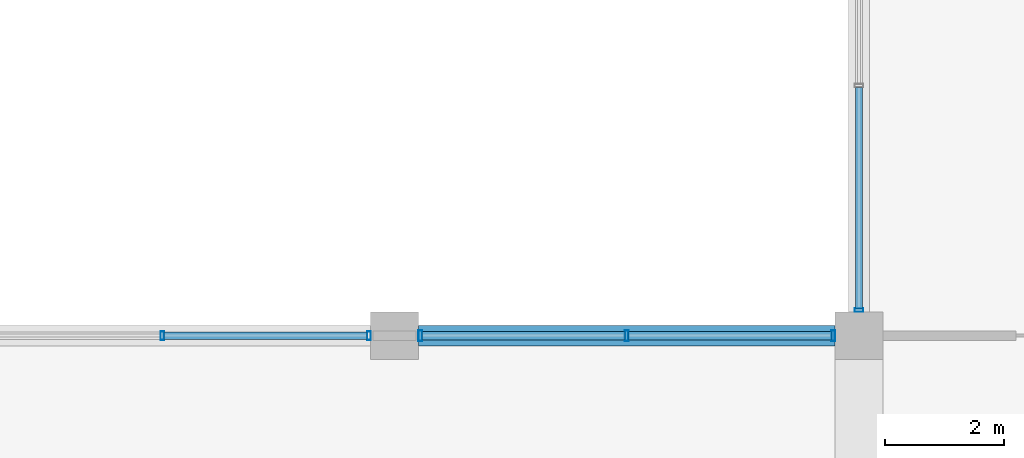
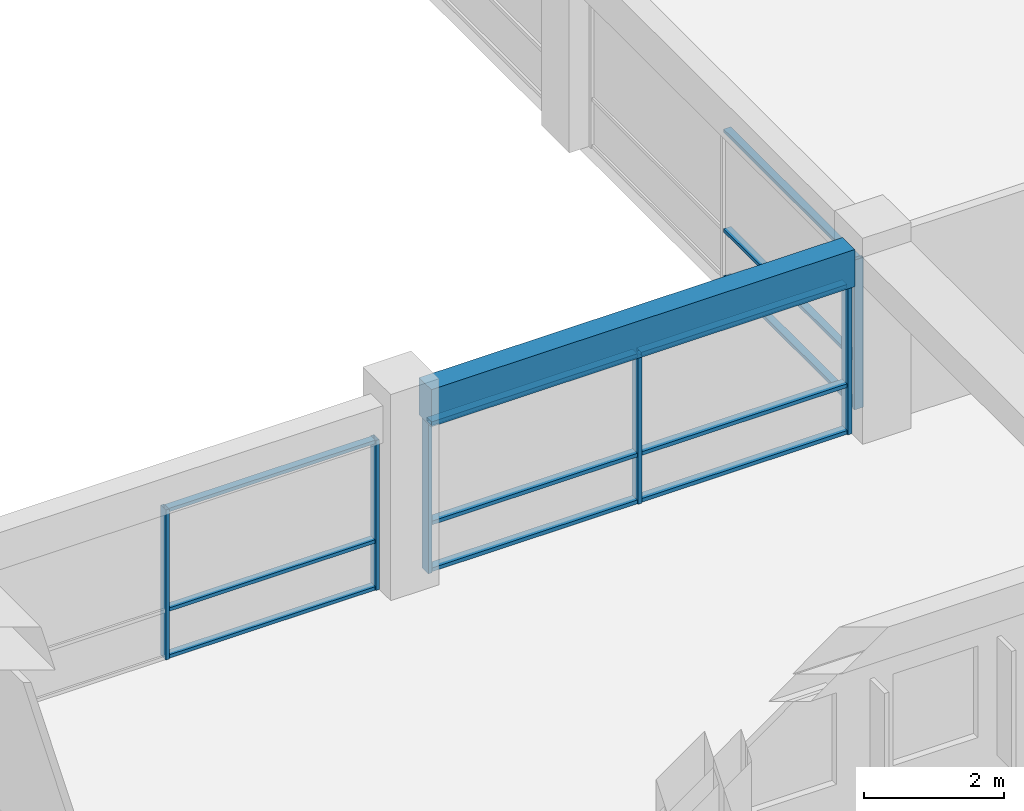
# One storey, part 13 of 50: 18 members, 1 beam, 3 elements without a shape of their own.
"""IFC4 building model written with IfcOpenShell, lengths in metres."""

from ifc_helpers import new_model, si_unit, direction, frame, origin, origin_2d, place, context, subcontext, project, spatial, rectangle, hollow_rectangle, extrude, material, material_profile, profile_set, type_object, element, aggregate, save


model = new_model("IFC4")

# Units and contexts
model_context = context("Model", 3, precision=1e-05, world=origin(), true_north=direction((0.0, 1.0)))
body_context = subcontext(model_context, "Body", "Model", "MODEL_VIEW")
ifc_project = project(units=[si_unit("LENGTHUNIT", "METRE"), si_unit("AREAUNIT", "SQUARE_METRE"), si_unit("VOLUMEUNIT", "CUBIC_METRE"), si_unit("PLANEANGLEUNIT", "RADIAN"), si_unit("MASSUNIT", "GRAM", prefix="KILO"), si_unit("THERMODYNAMICTEMPERATUREUNIT", "KELVIN"), si_unit("POWERUNIT", "WATT")], contexts=[model_context])

# Site, building, storey
site_placement = place(None, origin())
site = spatial("IfcSite", under=ifc_project, at=site_placement, CompositionType="ELEMENT")
building_placement = place(site_placement, origin())
building = spatial("IfcBuilding", under=site, at=building_placement, Name="Srebrne Nadtorze General Hospital", CompositionType="ELEMENT")
storey_placement = place(building_placement, frame((0.0, 0.0, 14.39990234375)))
storey = spatial("IfcBuildingStorey", under=building, at=storey_placement, Name="L03", CompositionType="ELEMENT", Elevation=14.39990234375)

# Curtain wall, members
ifc_material_1 = material(Name="Anodised Aluminium", Category="aluminium")
curtain_wall_type_1 = type_object("IfcCurtainWallType", Name="Unitised curtain wall 7000x2620", PredefinedType="NOTDEFINED", material=ifc_material_1)
curtain_wall_1_placement = place(storey_placement, origin())
curtain_wall_1 = element("IfcCurtainWall", 1, at=curtain_wall_1_placement, inside=storey, type_object=curtain_wall_type_1, Name="Curtain wall CW-090", PredefinedType="NOTDEFINED")
ifc_material_2 = material(Name="Anodised Aluminium", Category="aluminium")
ifc_material_profile_1 = material_profile(ifc_material_2, hollow_rectangle(XDim=0.06005859375, YDim=0.14990234375, WallThickness=0.00390625, at=origin_2d()), Name="AL-MUL-60x150")
ifc_profile_set_1 = profile_set([ifc_material_profile_1], Name="Anodised Aluminium")
member_type_1 = type_object("IfcMemberType", Name="Curtain mullion 60x150", PredefinedType="MULLION", material=ifc_profile_set_1)
member_1_placement = place(storey_placement, frame((120.89990234375, 8.39990234375, 0.0), z_axis=(0.0, 0.0, 1.0), x_axis=(1.0, 0.0, 0.0)))
member_1 = element("IfcMember", 2, at=member_1_placement, type_object=member_type_1, Name="CW-090 mullion 2", PredefinedType="MULLION", context=body_context, shape_type="SweptSolid", body=[
    extrude(hollow_rectangle(XDim=0.06005859375, YDim=0.14990234375, WallThickness=0.00390625, at=origin_2d()), origin(), (0.0, 0.0, 1.0), 2.6201171875),
])
member_2_placement = place(storey_placement, frame((124.3701171875, 8.39990234375, 0.0), z_axis=(0.0, 0.0, 1.0), x_axis=(1.0, 0.0, 0.0)))
member_2 = element("IfcMember", 3, at=member_2_placement, type_object=member_type_1, Name="CW-090 mullion 3", PredefinedType="MULLION", context=body_context, shape_type="SweptSolid", body=[
    extrude(hollow_rectangle(XDim=0.06005859375, YDim=0.14990234375, WallThickness=0.00390625, at=origin_2d()), origin(), (0.0, 0.0, 1.0), 2.6201171875),
])

# Curtain wall, member
ifc_material_3 = material(Name="Anodised Aluminium", Category="aluminium")
curtain_wall_type_2 = type_object("IfcCurtainWallType", Name="Unitised curtain wall 7600x2620", PredefinedType="NOTDEFINED", material=ifc_material_3)
curtain_wall_2_placement = place(storey_placement, origin())
curtain_wall_2 = element("IfcCurtainWall", 4, at=curtain_wall_2_placement, inside=storey, type_object=curtain_wall_type_2, Name="Curtain wall CW-100", PredefinedType="NOTDEFINED")
member_3_placement = place(storey_placement, frame((132.60009765625, 8.830078125, 0.0), z_axis=(0.0, 0.0, 1.0), x_axis=(0.0, 1.0, 0.0)))
member_3 = element("IfcMember", 5, at=member_3_placement, type_object=member_type_1, Name="CW-100 mullion 1", PredefinedType="MULLION", context=body_context, shape_type="SweptSolid", body=[
    extrude(hollow_rectangle(XDim=0.06005859375, YDim=0.14990234375, WallThickness=0.00390625, at=origin_2d()), origin(), (0.0, 0.0, 1.0), 2.6201171875),
])

# Curtain wall, members
curtain_wall_3_placement = place(storey_placement, origin())
curtain_wall_3 = element("IfcCurtainWall", 6, at=curtain_wall_3_placement, inside=storey, type_object=curtain_wall_type_1, Name="Curtain wall CW-091", PredefinedType="NOTDEFINED")
ifc_material_4 = material(Name="Anodised Aluminium", Category="aluminium")
ifc_material_profile_2 = material_profile(ifc_material_4, hollow_rectangle(XDim=0.06494140625, YDim=0.179931640625, WallThickness=0.00390625, at=origin_2d()), Name="AL-MUL-65x180")
ifc_profile_set_2 = profile_set([ifc_material_profile_2], Name="Anodised Aluminium")
member_type_2 = type_object("IfcMemberType", Name="Curtain mullion 65x180", PredefinedType="MULLION", material=ifc_profile_set_2)
member_4_placement = place(storey_placement, frame((125.232421875, 8.39990234375, 0.0), z_axis=(0.0, 0.0, 1.0), x_axis=(1.0, 0.0, 0.0)))
member_4 = element("IfcMember", 7, at=member_4_placement, type_object=member_type_2, Name="CW-091 mullion 1", PredefinedType="MULLION", context=body_context, shape_type="SweptSolid", body=[
    extrude(hollow_rectangle(XDim=0.06494140625, YDim=0.179931640625, WallThickness=0.00390625, at=origin_2d()), origin(), (0.0, 0.0, 1.0), 2.6201171875),
])
member_5_placement = place(storey_placement, frame((128.699951171875, 8.39990234375, 0.0), z_axis=(0.0, 0.0, 1.0), x_axis=(1.0, 0.0, 0.0)))
member_5 = element("IfcMember", 8, at=member_5_placement, type_object=member_type_2, Name="CW-091 mullion 2", PredefinedType="MULLION", context=body_context, shape_type="SweptSolid", body=[
    extrude(hollow_rectangle(XDim=0.06494140625, YDim=0.179931640625, WallThickness=0.00390625, at=origin_2d()), origin(), (0.0, 0.0, 1.0), 2.6201171875),
])
member_6_placement = place(storey_placement, frame((132.16748046875, 8.39990234375, 0.0), z_axis=(0.0, 0.0, 1.0), x_axis=(1.0, 0.0, 0.0)))
member_6 = element("IfcMember", 9, at=member_6_placement, type_object=member_type_2, Name="CW-091 mullion 3", PredefinedType="MULLION", context=body_context, shape_type="SweptSolid", body=[
    extrude(hollow_rectangle(XDim=0.06494140625, YDim=0.179931640625, WallThickness=0.00390625, at=origin_2d()), origin(), (0.0, 0.0, 1.0), 2.6201171875),
])

# Member
ifc_material_5 = material(Name="Anodised Aluminium", Category="aluminium")
ifc_material_profile_3 = material_profile(ifc_material_5, hollow_rectangle(XDim=0.06005859375, YDim=0.1201171875, WallThickness=0.00390625, at=origin_2d()), Name="AL-TRN-60x120")
ifc_profile_set_3 = profile_set([ifc_material_profile_3], Name="Anodised Aluminium")
member_type_3 = type_object("IfcMemberType", Name="Curtain transom 60x120", PredefinedType="USERDEFINED", material=ifc_profile_set_3)
member_7_placement = place(storey_placement, frame((120.929931640625, 8.39990234375, 0.030029296875), z_axis=(1.0, 0.0, 0.0), x_axis=(0.0, 0.0, 1.0)))
member_7 = element("IfcMember", 10, at=member_7_placement, type_object=member_type_3, Name="CW-090 transom 2.1", ObjectType="TRANSOM", PredefinedType="USERDEFINED", context=body_context, shape_type="SweptSolid", body=[
    extrude(hollow_rectangle(XDim=0.06005859375, YDim=0.1201171875, WallThickness=0.00390625, at=origin_2d()), origin(), (0.0, 0.0, 1.0), 3.41015625),
])

member_8_placement = place(storey_placement, frame((120.929931640625, 8.39990234375, 0.85009765625), z_axis=(1.0, 0.0, 0.0), x_axis=(0.0, 0.0, 1.0)))
member_8 = element("IfcMember", 11, at=member_8_placement, type_object=member_type_3, Name="CW-090 transom 2.2", ObjectType="TRANSOM", PredefinedType="USERDEFINED", context=body_context, shape_type="SweptSolid", body=[
    extrude(hollow_rectangle(XDim=0.06005859375, YDim=0.1201171875, WallThickness=0.00390625, at=origin_2d()), origin(), (0.0, 0.0, 1.0), 3.41015625),
])

member_9_placement = place(storey_placement, frame((120.929931640625, 8.39990234375, 2.590087890625), z_axis=(1.0, 0.0, 0.0), x_axis=(0.0, 0.0, 1.0)))
member_9 = element("IfcMember", 12, at=member_9_placement, type_object=member_type_3, Name="CW-090 transom 2.3", ObjectType="TRANSOM", PredefinedType="USERDEFINED", context=body_context, shape_type="SweptSolid", body=[
    extrude(hollow_rectangle(XDim=0.06005859375, YDim=0.1201171875, WallThickness=0.00390625, at=origin_2d()), origin(), (0.0, 0.0, 1.0), 3.41015625),
])

aggregate(curtain_wall_1, [member_1, member_2, member_7, member_8, member_9])

member_10_placement = place(storey_placement, frame((132.60009765625, 8.860107421875, 0.030029296875), z_axis=(0.0, 1.0, 0.0), x_axis=(0.0, 0.0, 1.0)))
member_10 = element("IfcMember", 13, at=member_10_placement, type_object=member_type_3, Name="CW-100 transom 1.1", ObjectType="TRANSOM", PredefinedType="USERDEFINED", context=body_context, shape_type="SweptSolid", body=[
    extrude(hollow_rectangle(XDim=0.06005859375, YDim=0.1201171875, WallThickness=0.00390625, at=origin_2d()), origin(), (0.0, 0.0, 1.0), 3.7099609375),
])

member_11_placement = place(storey_placement, frame((132.60009765625, 8.860107421875, 0.85009765625), z_axis=(0.0, 1.0, 0.0), x_axis=(0.0, 0.0, 1.0)))
member_11 = element("IfcMember", 14, at=member_11_placement, type_object=member_type_3, Name="CW-100 transom 1.2", ObjectType="TRANSOM", PredefinedType="USERDEFINED", context=body_context, shape_type="SweptSolid", body=[
    extrude(hollow_rectangle(XDim=0.06005859375, YDim=0.1201171875, WallThickness=0.00390625, at=origin_2d()), origin(), (0.0, 0.0, 1.0), 3.7099609375),
])

member_12_placement = place(storey_placement, frame((132.60009765625, 8.860107421875, 2.590087890625), z_axis=(0.0, 1.0, 0.0), x_axis=(0.0, 0.0, 1.0)))
member_12 = element("IfcMember", 15, at=member_12_placement, type_object=member_type_3, Name="CW-100 transom 1.3", ObjectType="TRANSOM", PredefinedType="USERDEFINED", context=body_context, shape_type="SweptSolid", body=[
    extrude(hollow_rectangle(XDim=0.06005859375, YDim=0.1201171875, WallThickness=0.00390625, at=origin_2d()), origin(), (0.0, 0.0, 1.0), 3.7099609375),
])

aggregate(curtain_wall_2, [member_3, member_10, member_11, member_12])

ifc_material_6 = material(Name="Anodised Aluminium", Category="aluminium")
ifc_material_profile_4 = material_profile(ifc_material_6, hollow_rectangle(XDim=0.06494140625, YDim=0.139892578125, WallThickness=0.00390625, at=origin_2d()), Name="AL-TRN-65x140")
ifc_profile_set_4 = profile_set([ifc_material_profile_4], Name="Anodised Aluminium")
member_type_4 = type_object("IfcMemberType", Name="Curtain transom 65x140", PredefinedType="USERDEFINED", material=ifc_profile_set_4)
member_13_placement = place(storey_placement, frame((125.264892578125, 8.39990234375, 0.03271484375), z_axis=(1.0, 0.0, 0.0), x_axis=(0.0, 0.0, 1.0)))
member_13 = element("IfcMember", 16, at=member_13_placement, type_object=member_type_4, Name="CW-091 transom 1.1", ObjectType="TRANSOM", PredefinedType="USERDEFINED", context=body_context, shape_type="SweptSolid", body=[
    extrude(hollow_rectangle(XDim=0.06494140625, YDim=0.139892578125, WallThickness=0.00390625, at=origin_2d()), origin(), (0.0, 0.0, 1.0), 3.402587890625),
])

member_14_placement = place(storey_placement, frame((125.264892578125, 8.39990234375, 0.85009765625), z_axis=(1.0, 0.0, 0.0), x_axis=(0.0, 0.0, 1.0)))
member_14 = element("IfcMember", 17, at=member_14_placement, type_object=member_type_4, Name="CW-091 transom 1.2", ObjectType="TRANSOM", PredefinedType="USERDEFINED", context=body_context, shape_type="SweptSolid", body=[
    extrude(hollow_rectangle(XDim=0.06494140625, YDim=0.139892578125, WallThickness=0.00390625, at=origin_2d()), origin(), (0.0, 0.0, 1.0), 3.402587890625),
])

member_15_placement = place(storey_placement, frame((125.264892578125, 8.39990234375, 2.587646484375), z_axis=(1.0, 0.0, 0.0), x_axis=(0.0, 0.0, 1.0)))
member_15 = element("IfcMember", 18, at=member_15_placement, type_object=member_type_4, Name="CW-091 transom 1.3", ObjectType="TRANSOM", PredefinedType="USERDEFINED", context=body_context, shape_type="SweptSolid", body=[
    extrude(hollow_rectangle(XDim=0.06494140625, YDim=0.139892578125, WallThickness=0.00390625, at=origin_2d()), origin(), (0.0, 0.0, 1.0), 3.402587890625),
])

member_16_placement = place(storey_placement, frame((128.732421875, 8.39990234375, 0.03271484375), z_axis=(1.0, 0.0, 0.0), x_axis=(0.0, 0.0, 1.0)))
member_16 = element("IfcMember", 19, at=member_16_placement, type_object=member_type_4, Name="CW-091 transom 2.1", ObjectType="TRANSOM", PredefinedType="USERDEFINED", context=body_context, shape_type="SweptSolid", body=[
    extrude(hollow_rectangle(XDim=0.06494140625, YDim=0.139892578125, WallThickness=0.00390625, at=origin_2d()), origin(), (0.0, 0.0, 1.0), 3.402587890625),
])

member_17_placement = place(storey_placement, frame((128.732421875, 8.39990234375, 0.85009765625), z_axis=(1.0, 0.0, 0.0), x_axis=(0.0, 0.0, 1.0)))
member_17 = element("IfcMember", 20, at=member_17_placement, type_object=member_type_4, Name="CW-091 transom 2.2", ObjectType="TRANSOM", PredefinedType="USERDEFINED", context=body_context, shape_type="SweptSolid", body=[
    extrude(hollow_rectangle(XDim=0.06494140625, YDim=0.139892578125, WallThickness=0.00390625, at=origin_2d()), origin(), (0.0, 0.0, 1.0), 3.402587890625),
])

member_18_placement = place(storey_placement, frame((128.732421875, 8.39990234375, 2.587646484375), z_axis=(1.0, 0.0, 0.0), x_axis=(0.0, 0.0, 1.0)))
member_18 = element("IfcMember", 21, at=member_18_placement, type_object=member_type_4, Name="CW-091 transom 2.3", ObjectType="TRANSOM", PredefinedType="USERDEFINED", context=body_context, shape_type="SweptSolid", body=[
    extrude(hollow_rectangle(XDim=0.06494140625, YDim=0.139892578125, WallThickness=0.00390625, at=origin_2d()), origin(), (0.0, 0.0, 1.0), 3.402587890625),
])

aggregate(curtain_wall_3, [member_4, member_5, member_6, member_13, member_14, member_15, member_16, member_17, member_18])

# Beam
ifc_material_7 = material(Name="Concrete C35/45", Category="concrete")
ifc_material_profile_5 = material_profile(ifc_material_7, rectangle(XDim=0.35009765625, YDim=0.64990234375, at=origin_2d()), Name="RC-BM-350x650")
ifc_profile_set_5 = profile_set([ifc_material_profile_5], Name="Concrete C35/45")
beam_type = type_object("IfcBeamType", Name="Edge beam RC 350x650", PredefinedType="BEAM", material=ifc_profile_set_5)
beam_placement = place(storey_placement, frame((125.199951171875, 8.39990234375, 2.945068359375), z_axis=(1.0, 0.0, 0.0), x_axis=(0.0, 1.0, 0.0)))
element("IfcBeam", 22, at=beam_placement, inside=storey, type_object=beam_type, Name="Beam BM-L03-X-0730", PredefinedType="BEAM", context=body_context, shape_type="SweptSolid", body=[
    extrude(rectangle(XDim=0.35009765625, YDim=0.64990234375, at=origin_2d()), origin(), (0.0, 0.0, 1.0), 7.0),
])

save(model, "model.ifc")
